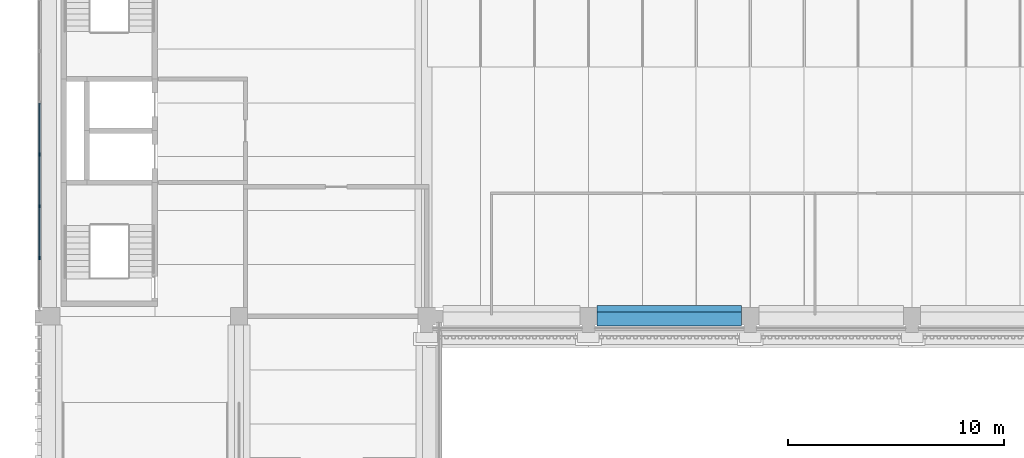
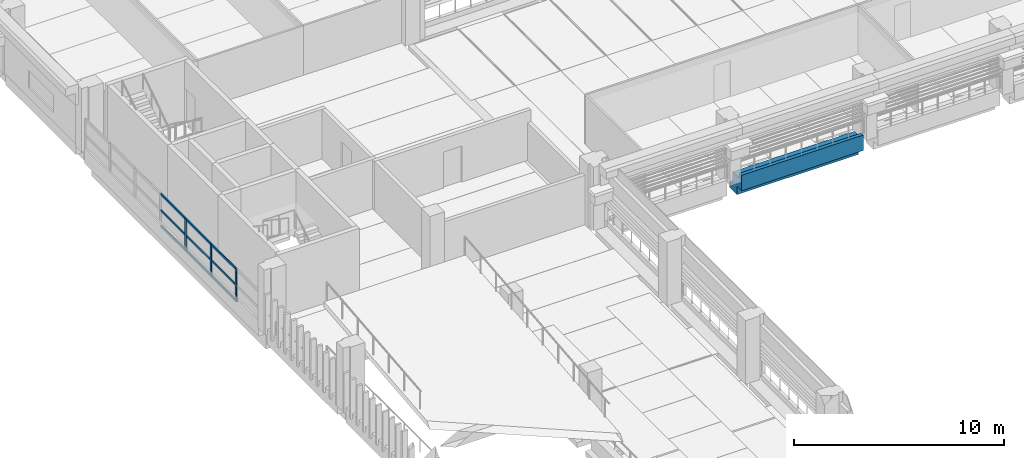
# One storey, part 4 of 71: 12 members, 1 beam, 1 element without a shape of its own.
"""IFC4 building model written with IfcOpenShell, lengths in metres."""

from ifc_helpers import new_model, si_unit, direction, frame, origin, origin_2d, place, context, subcontext, project, spatial, polyline, rectangle, outline, extrude, material, layer, layer_set, material_profile, profile_set, type_object, element, aggregate, save


model = new_model("IFC4")

# Units and contexts
model_context = context("Model", 3, precision=1e-05, world=origin(), true_north=direction((0.0, 1.0)))
body_context = subcontext(model_context, "Body", "Model", "MODEL_VIEW")
ifc_project = project(units=[si_unit("LENGTHUNIT", "METRE"), si_unit("AREAUNIT", "SQUARE_METRE"), si_unit("VOLUMEUNIT", "CUBIC_METRE"), si_unit("PLANEANGLEUNIT", "RADIAN"), si_unit("MASSUNIT", "GRAM", prefix="KILO")], contexts=[model_context])

# Site, building, storey
site_placement = place(None, origin())
site = spatial("IfcSite", under=ifc_project, at=site_placement, CompositionType="ELEMENT")
building_placement = place(site_placement, origin())
building = spatial("IfcBuilding", under=site, at=building_placement, Name="Cour d'Honneur Mobility Palace", CompositionType="ELEMENT")
storey_placement = place(building_placement, frame((0.0, 0.0, 15.60009765625)))
storey = spatial("IfcBuildingStorey", under=building, at=storey_placement, Name="L04", CompositionType="ELEMENT", Elevation=15.60009765625)

# Curtain wall, members
ifc_material_1 = material(Name="Aluminium and glass", Category="aluminium")
ifc_layer = layer(ifc_material_1, 0.10009765625)
ifc_layer_set = layer_set([ifc_layer], Name="Aluminium and glass")
curtain_wall_type = type_object("IfcCurtainWallType", Name="Curtain wall run", PredefinedType="NOTDEFINED", material=ifc_layer_set)
curtain_wall_placement = place(storey_placement, origin())
curtain_wall = element("IfcCurtainWall", 1, at=curtain_wall_placement, inside=storey, type_object=curtain_wall_type, Name="Curtain wall CW-103", PredefinedType="NOTDEFINED")
ifc_material_2 = material(Name="Aluminium", Category="aluminium")
ifc_material_profile_1 = material_profile(ifc_material_2, rectangle(XDim=0.06005859375, YDim=0.159912109375, at=origin_2d()), Name="Curtain wall mullion")
ifc_profile_set_1 = profile_set([ifc_material_profile_1], Name="Aluminium")
member_type_1 = type_object("IfcMemberType", Name="Curtain wall mullion", PredefinedType="MULLION", material=ifc_profile_set_1)
member_1_placement = place(storey_placement, frame((-0.550048828125, 52.5, 0.0), z_axis=(0.0, 0.0, 1.0), x_axis=(1.0, 0.0, 0.0)))
member_1 = element("IfcMember", 2, at=member_1_placement, type_object=member_type_1, Name="CW-103 mullion 5", PredefinedType="MULLION", context=body_context, shape_type="SweptSolid", body=[
    extrude(rectangle(XDim=0.06005859375, YDim=0.159912109375, at=origin_2d()), origin(), (0.0, 0.0, 1.0), 1.89990234375),
])
member_2_placement = place(storey_placement, frame((-0.550048828125, 50.10009765625, 0.0), z_axis=(0.0, 0.0, 1.0), x_axis=(1.0, 0.0, 0.0)))
member_2 = element("IfcMember", 3, at=member_2_placement, type_object=member_type_1, Name="CW-103 mullion 6", PredefinedType="MULLION", context=body_context, shape_type="SweptSolid", body=[
    extrude(rectangle(XDim=0.06005859375, YDim=0.159912109375, at=origin_2d()), origin(), (0.0, 0.0, 1.0), 1.89990234375),
])
member_3_placement = place(storey_placement, frame((-0.550048828125, 47.699951171875, 0.0), z_axis=(0.0, 0.0, 1.0), x_axis=(1.0, 0.0, 0.0)))
member_3 = element("IfcMember", 4, at=member_3_placement, type_object=member_type_1, Name="CW-103 mullion 7", PredefinedType="MULLION", context=body_context, shape_type="SweptSolid", body=[
    extrude(rectangle(XDim=0.06005859375, YDim=0.159912109375, at=origin_2d()), origin(), (0.0, 0.0, 1.0), 1.89990234375),
])
ifc_material_3 = material(Name="Aluminium", Category="aluminium")
ifc_material_profile_2 = material_profile(ifc_material_3, rectangle(XDim=0.06005859375, YDim=0.1201171875, at=origin_2d()), Name="Curtain wall transom")
ifc_profile_set_2 = profile_set([ifc_material_profile_2], Name="Aluminium")
member_type_2 = type_object("IfcMemberType", Name="Curtain wall transom", PredefinedType="USERDEFINED", material=ifc_profile_set_2)
member_4_placement = place(storey_placement, frame((-0.550048828125, 54.8701171875, 0.02978515625), z_axis=(0.0, -1.0, 0.0), x_axis=(1.0, 0.0, 0.0)))
member_4 = element("IfcMember", 5, at=member_4_placement, type_object=member_type_2, Name="CW-103 transom 4.1", ObjectType="TRANSOM", PredefinedType="USERDEFINED", context=body_context, shape_type="SweptSolid", body=[
    extrude(rectangle(XDim=0.06005859375, YDim=0.1201171875, at=origin_2d()), origin(), (0.0, 0.0, 1.0), 2.340087890625),
])
member_5_placement = place(storey_placement, frame((-0.550048828125, 54.8701171875, 0.949951171875), z_axis=(0.0, -1.0, 0.0), x_axis=(1.0, 0.0, 0.0)))
member_5 = element("IfcMember", 6, at=member_5_placement, type_object=member_type_2, Name="CW-103 transom 4.2", ObjectType="TRANSOM", PredefinedType="USERDEFINED", context=body_context, shape_type="SweptSolid", body=[
    extrude(rectangle(XDim=0.06005859375, YDim=0.1201171875, at=origin_2d()), origin(), (0.0, 0.0, 1.0), 2.340087890625),
])
member_6_placement = place(storey_placement, frame((-0.550048828125, 54.8701171875, 1.869873046875), z_axis=(0.0, -1.0, 0.0), x_axis=(1.0, 0.0, 0.0)))
member_6 = element("IfcMember", 7, at=member_6_placement, type_object=member_type_2, Name="CW-103 transom 4.3", ObjectType="TRANSOM", PredefinedType="USERDEFINED", context=body_context, shape_type="SweptSolid", body=[
    extrude(rectangle(XDim=0.06005859375, YDim=0.1201171875, at=origin_2d()), origin(), (0.0, 0.0, 1.0), 2.340087890625),
])
member_7_placement = place(storey_placement, frame((-0.550048828125, 52.469970703125, 0.02978515625), z_axis=(0.0, -1.0, 0.0), x_axis=(1.0, 0.0, 0.0)))
member_7 = element("IfcMember", 8, at=member_7_placement, type_object=member_type_2, Name="CW-103 transom 5.1", ObjectType="TRANSOM", PredefinedType="USERDEFINED", context=body_context, shape_type="SweptSolid", body=[
    extrude(rectangle(XDim=0.06005859375, YDim=0.1201171875, at=origin_2d()), origin(), (0.0, 0.0, 1.0), 2.340087890625),
])
member_8_placement = place(storey_placement, frame((-0.550048828125, 52.469970703125, 0.949951171875), z_axis=(0.0, -1.0, 0.0), x_axis=(1.0, 0.0, 0.0)))
member_8 = element("IfcMember", 9, at=member_8_placement, type_object=member_type_2, Name="CW-103 transom 5.2", ObjectType="TRANSOM", PredefinedType="USERDEFINED", context=body_context, shape_type="SweptSolid", body=[
    extrude(rectangle(XDim=0.06005859375, YDim=0.1201171875, at=origin_2d()), origin(), (0.0, 0.0, 1.0), 2.340087890625),
])
member_9_placement = place(storey_placement, frame((-0.550048828125, 52.469970703125, 1.869873046875), z_axis=(0.0, -1.0, 0.0), x_axis=(1.0, 0.0, 0.0)))
member_9 = element("IfcMember", 10, at=member_9_placement, type_object=member_type_2, Name="CW-103 transom 5.3", ObjectType="TRANSOM", PredefinedType="USERDEFINED", context=body_context, shape_type="SweptSolid", body=[
    extrude(rectangle(XDim=0.06005859375, YDim=0.1201171875, at=origin_2d()), origin(), (0.0, 0.0, 1.0), 2.340087890625),
])
member_10_placement = place(storey_placement, frame((-0.550048828125, 50.070068359375, 0.02978515625), z_axis=(0.0, -1.0, 0.0), x_axis=(1.0, 0.0, 0.0)))
member_10 = element("IfcMember", 11, at=member_10_placement, type_object=member_type_2, Name="CW-103 transom 6.1", ObjectType="TRANSOM", PredefinedType="USERDEFINED", context=body_context, shape_type="SweptSolid", body=[
    extrude(rectangle(XDim=0.06005859375, YDim=0.1201171875, at=origin_2d()), origin(), (0.0, 0.0, 1.0), 2.340087890625),
])
member_11_placement = place(storey_placement, frame((-0.550048828125, 50.070068359375, 0.949951171875), z_axis=(0.0, -1.0, 0.0), x_axis=(1.0, 0.0, 0.0)))
member_11 = element("IfcMember", 12, at=member_11_placement, type_object=member_type_2, Name="CW-103 transom 6.2", ObjectType="TRANSOM", PredefinedType="USERDEFINED", context=body_context, shape_type="SweptSolid", body=[
    extrude(rectangle(XDim=0.06005859375, YDim=0.1201171875, at=origin_2d()), origin(), (0.0, 0.0, 1.0), 2.340087890625),
])
member_12_placement = place(storey_placement, frame((-0.550048828125, 50.070068359375, 1.869873046875), z_axis=(0.0, -1.0, 0.0), x_axis=(1.0, 0.0, 0.0)))
member_12 = element("IfcMember", 13, at=member_12_placement, type_object=member_type_2, Name="CW-103 transom 6.3", ObjectType="TRANSOM", PredefinedType="USERDEFINED", context=body_context, shape_type="SweptSolid", body=[
    extrude(rectangle(XDim=0.06005859375, YDim=0.1201171875, at=origin_2d()), origin(), (0.0, 0.0, 1.0), 2.340087890625),
])
aggregate(curtain_wall, [member_1, member_2, member_3, member_4, member_5, member_6, member_7, member_8, member_9, member_10, member_11, member_12])

# Beam
ifc_material_4 = material(Name="Concrete C45", Category="concrete")
ifc_material_profile_3 = material_profile(ifc_material_4, outline(polyline([(0.5, -1.10009765625), (0.5, -0.75), (0.199951171875, -0.75), (0.199951171875, 0.0), (-0.199951171875, 0.0), (-0.449951171875, 0.0), (-0.449951171875, 0.300048828125), (-0.64990234375, 0.300048828125), (-0.64990234375, -0.60009765625), (-0.199951171875, -0.60009765625), (-0.199951171875, -1.10009765625), (0.5, -1.10009765625)])), Name="Ledger Beam 400x1100 ledge left 350 facade right")
ifc_profile_set_3 = profile_set([ifc_material_profile_3], Name="Concrete C45")
beam_type = type_object("IfcBeamType", Name="Ledger Beam 400x1100 ledge left 350 facade right", PredefinedType="BEAM", material=ifc_profile_set_3)
beam_placement = place(storey_placement, frame((25.300048828125, 45.0, 0.0), z_axis=(1.0, 0.0, 0.0), x_axis=(0.0, 1.0, 0.0)))
element("IfcBeam", 14, at=beam_placement, inside=storey, type_object=beam_type, Name="Precast beam B2 3-4 L04", PredefinedType="BEAM", context=body_context, shape_type="SweptSolid", body=[
    extrude(outline(polyline([(0.5, -1.10009765625), (0.5, -0.75), (0.199951171875, -0.75), (0.199951171875, 0.0), (-0.199951171875, 0.0), (-0.449951171875, 0.0), (-0.449951171875, 0.300048828125), (-0.64990234375, 0.300048828125), (-0.64990234375, -0.60009765625), (-0.199951171875, -0.60009765625), (-0.199951171875, -1.10009765625), (0.5, -1.10009765625)])), origin(), (0.0, 0.0, 1.0), 6.699951171875),
])

save(model, "model.ifc")
